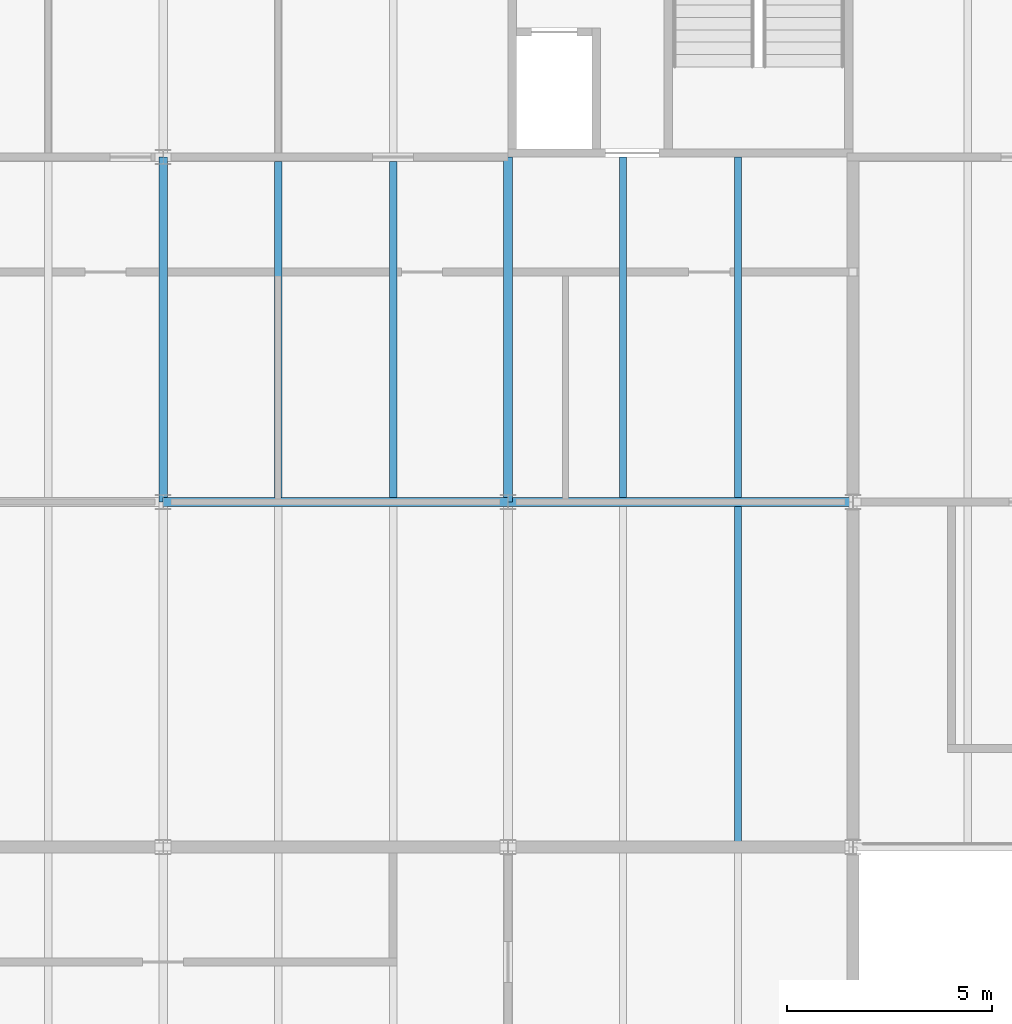
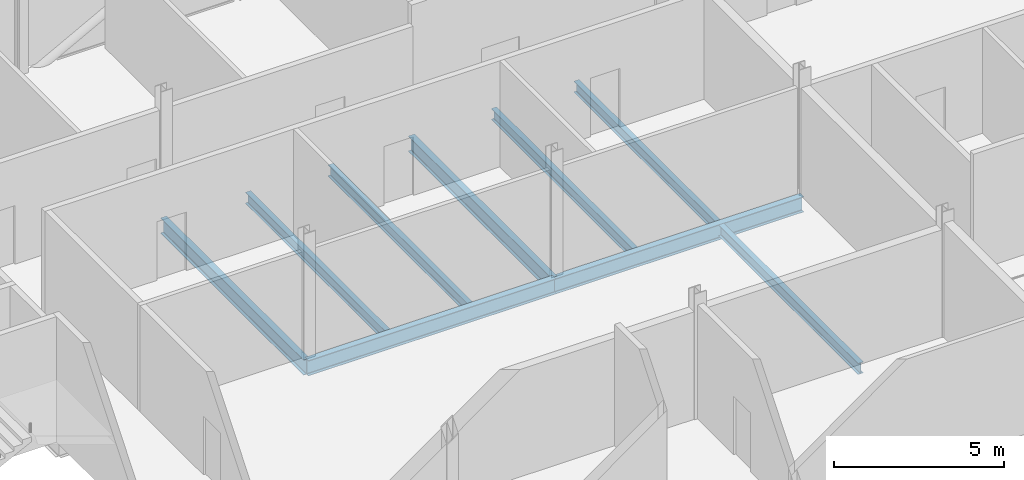
# One storey, part 46 of 129: 9 beams.
"""IFC4 building model written with IfcOpenShell, lengths in metres."""

from ifc_helpers import new_model, si_unit, direction, frame, origin, origin_2d, place, context, subcontext, project, spatial, i_section, extrude, material, material_profile, profile_set, type_object, element, save


model = new_model("IFC4")

# Units and contexts
model_context = context("Model", 3, precision=1e-05, world=origin(), true_north=direction((0.0, 1.0)))
body_context = subcontext(model_context, "Body", "Model", "MODEL_VIEW")
ifc_project = project(units=[si_unit("LENGTHUNIT", "METRE"), si_unit("AREAUNIT", "SQUARE_METRE"), si_unit("VOLUMEUNIT", "CUBIC_METRE"), si_unit("PLANEANGLEUNIT", "RADIAN"), si_unit("MASSUNIT", "GRAM", prefix="KILO")], contexts=[model_context])

# Site, building, storey
site_placement = place(None, origin())
site = spatial("IfcSite", under=ifc_project, at=site_placement, CompositionType="ELEMENT")
building_placement = place(site_placement, origin())
building = spatial("IfcBuilding", under=site, at=building_placement, Name="Ardhachandra Cancer Care Centre", CompositionType="ELEMENT")
storey_placement = place(building_placement, frame((0.0, 0.0, 4.5)))
storey = spatial("IfcBuildingStorey", under=building, at=storey_placement, Name="L01", CompositionType="ELEMENT", Elevation=4.5)

# Beams
ifc_material_1 = material(Name="Steel E350 (IS 2062)", Category="steel")
ifc_material_profile_1 = material_profile(ifc_material_1, i_section(OverallWidth=0.179931640625, OverallDepth=0.39990234375, WebThickness=0.008544921875, FlangeThickness=0.013427734375, FilletRadius=0.02099609375, at=origin_2d()), Name="NPB 400x180x66.30")
ifc_profile_set_1 = profile_set([ifc_material_profile_1], Name="Steel E350 (IS 2062)")
beam_type_1 = type_object("IfcBeamType", Name="Beam NPB 400x180x66.30", PredefinedType="BEAM", material=ifc_profile_set_1)
for number, where, z_axis, x_axis, name in (
    (1, (30.39990234375, 79.905029296875, -0.35009765625), (0.0, 1.0, 0.0), (-1.0, 0.0, 0.0), "Secondary J3-K3@2800"),
    (2, (33.199951171875, 79.905029296875, -0.35009765625), (0.0, 1.0, 0.0), (-1.0, 0.0, 0.0), "Secondary J3-K3@5600"),
):
    element("IfcBeam", number, at=place(storey_placement, frame(where, z_axis=z_axis, x_axis=x_axis)), inside=storey, type_object=beam_type_1, Name=name, PredefinedType="BEAM", context=body_context, shape_type="SweptSolid", body=[
        extrude(i_section(OverallWidth=0.179931640625, OverallDepth=0.39990234375, WebThickness=0.008544921875, FlangeThickness=0.013427734375, FilletRadius=0.02099609375, at=origin_2d()), origin(), (0.0, 0.0, 1.0), 8.18994140625),
    ])
beam_1_placement = place(storey_placement, frame((38.800048828125, 79.905029296875, -0.35009765625), z_axis=(0.0, 1.0, 0.0), x_axis=(-1.0, 0.0, 0.0)))
element("IfcBeam", 3, at=beam_1_placement, inside=storey, type_object=beam_type_1, Name="Secondary J4-K4@2800", PredefinedType="BEAM", context=body_context, shape_type="SweptSolid", body=[
    extrude(i_section(OverallWidth=0.179931640625, OverallDepth=0.39990234375, WebThickness=0.008544921875, FlangeThickness=0.013427734375, FilletRadius=0.02099609375, at=origin_2d()), origin(), (0.0, 0.0, 1.0), 8.294921875),
])
beam_2_placement = place(storey_placement, frame((41.60009765625, 71.5, -0.35009765625), z_axis=(0.0, 1.0, 0.0), x_axis=(-1.0, 0.0, 0.0)))
element("IfcBeam", 4, at=beam_2_placement, inside=storey, type_object=beam_type_1, Name="Secondary H4-J4@5600", PredefinedType="BEAM", context=body_context, shape_type="SweptSolid", body=[
    extrude(i_section(OverallWidth=0.179931640625, OverallDepth=0.39990234375, WebThickness=0.008544921875, FlangeThickness=0.013427734375, FilletRadius=0.02099609375, at=origin_2d()), origin(), (0.0, 0.0, 1.0), 8.195068359375),
])
beam_3_placement = place(storey_placement, frame((41.60009765625, 79.905029296875, -0.35009765625), z_axis=(0.0, 1.0, 0.0), x_axis=(-1.0, 0.0, 0.0)))
element("IfcBeam", 5, at=beam_3_placement, inside=storey, type_object=beam_type_1, Name="Secondary J4-K4@5600", PredefinedType="BEAM", context=body_context, shape_type="SweptSolid", body=[
    extrude(i_section(OverallWidth=0.179931640625, OverallDepth=0.39990234375, WebThickness=0.008544921875, FlangeThickness=0.013427734375, FilletRadius=0.02099609375, at=origin_2d()), origin(), (0.0, 0.0, 1.0), 8.294921875),
])
ifc_material_2 = material(Name="Steel E350 (IS 2062)", Category="steel")
ifc_material_profile_2 = material_profile(ifc_material_2, i_section(OverallWidth=0.2099609375, OverallDepth=0.550048828125, WebThickness=0.010986328125, FlangeThickness=0.01708984375, FilletRadius=0.02392578125, at=origin_2d()), Name="NPB 550x210x105.52")
ifc_profile_set_2 = profile_set([ifc_material_profile_2], Name="Steel E350 (IS 2062)")
beam_type_2 = type_object("IfcBeamType", Name="Beam NPB 550x210x105.52", PredefinedType="BEAM", material=ifc_profile_set_2)
for number, where, z_axis, x_axis, name in (
    (6, (27.60009765625, 79.800048828125, -0.425048828125), (1.0, 0.0, 0.0), (0.0, 1.0, 0.0), "Girder J3-J4"),
    (7, (36.0, 79.800048828125, -0.425048828125), (1.0, 0.0, 0.0), (0.0, 1.0, 0.0), "Girder J4-J5"),
    (8, (27.60009765625, 79.800048828125, -0.425048828125), (0.0, 1.0, 0.0), (-1.0, 0.0, 0.0), "Girder J3-K3"),
    (9, (36.0, 79.800048828125, -0.425048828125), (0.0, 1.0, 0.0), (-1.0, 0.0, 0.0), "Girder J4-K4"),
):
    element("IfcBeam", number, at=place(storey_placement, frame(where, z_axis=z_axis, x_axis=x_axis)), inside=storey, type_object=beam_type_2, Name=name, PredefinedType="BEAM", context=body_context, shape_type="SweptSolid", body=[
        extrude(i_section(OverallWidth=0.2099609375, OverallDepth=0.550048828125, WebThickness=0.010986328125, FlangeThickness=0.01708984375, FilletRadius=0.02392578125, at=origin_2d()), origin(), (0.0, 0.0, 1.0), 8.39990234375),
    ])

save(model, "model.ifc")
